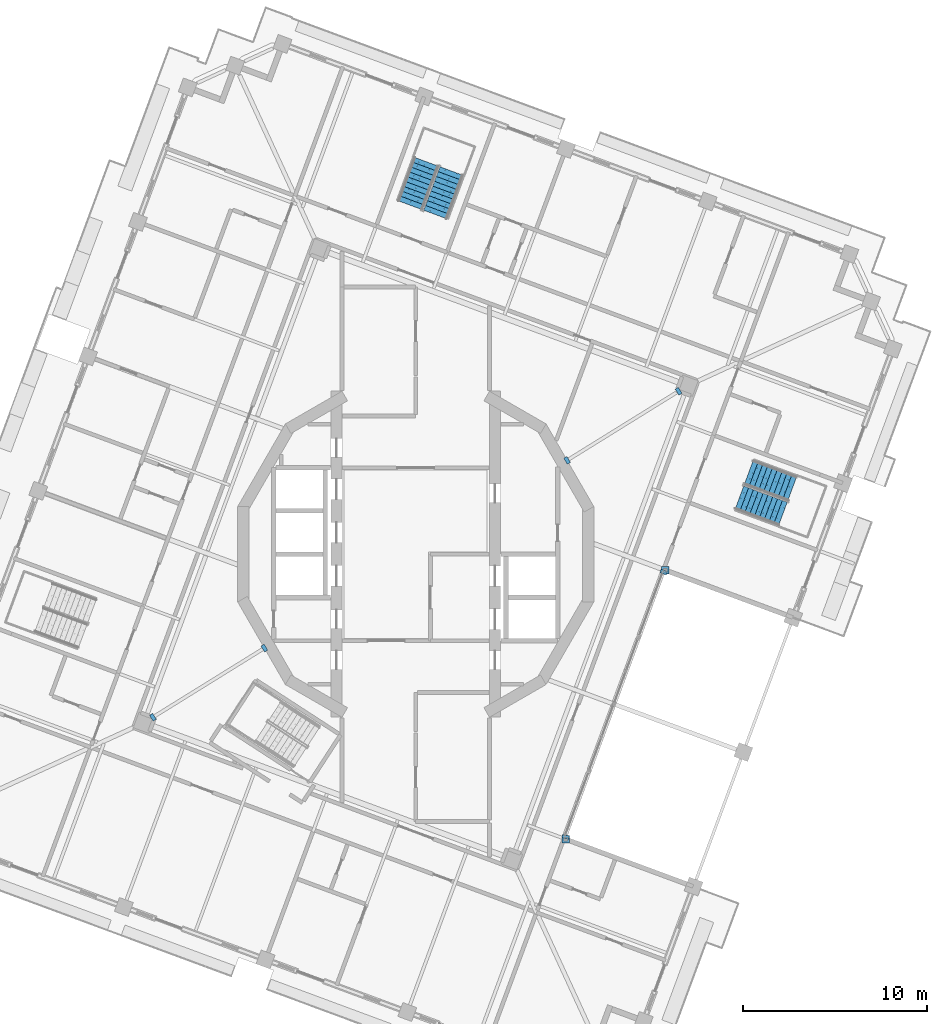
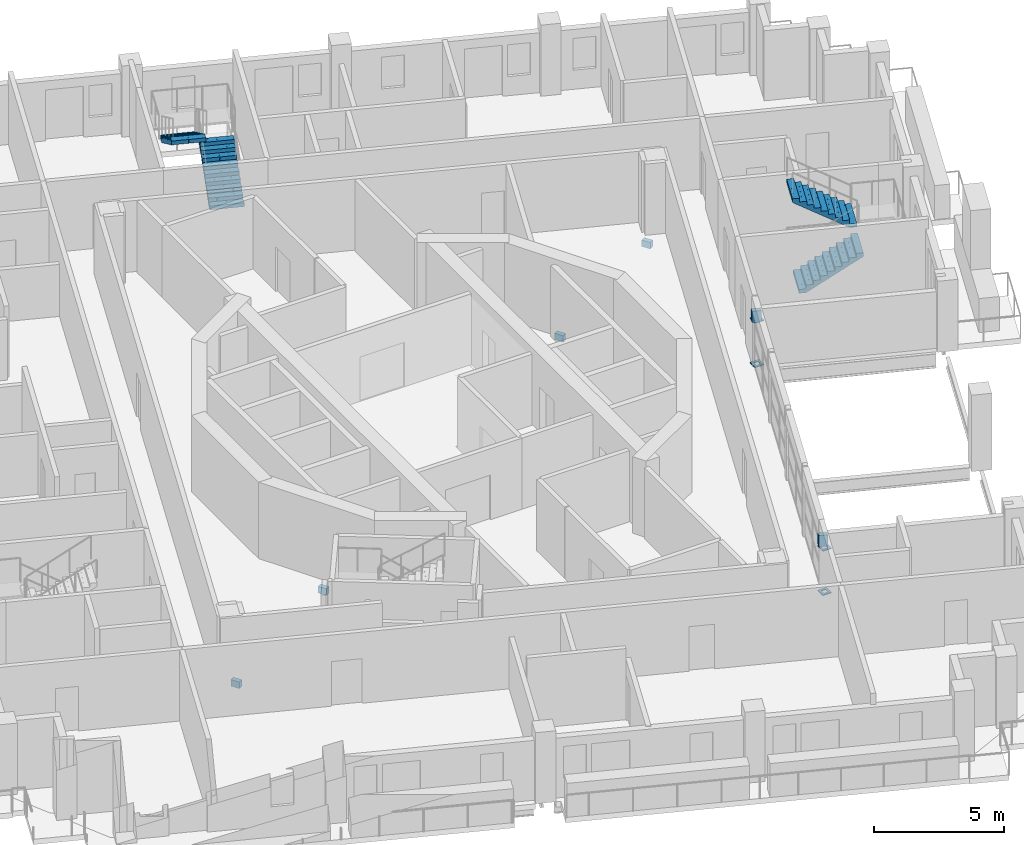
# One storey, part 12 of 19: 10 discrete accessories, 4 stair flights, 2 elements without a shape of their own.
"""IFC4 building model written with IfcOpenShell, lengths in metres."""

from ifc_helpers import new_model, si_unit, direction, frame, origin, place, context, subcontext, project, spatial, polyline, outline, extrude, material, layer, layer_set, type_object, element, aggregate, save


model = new_model("IFC4")

# Units and contexts
model_context = context("Model", 3, precision=1e-05, world=origin(), true_north=direction((0.0, 1.0)))
body_context = subcontext(model_context, "Body", "Model", "MODEL_VIEW")
ifc_project = project(units=[si_unit("LENGTHUNIT", "METRE"), si_unit("AREAUNIT", "SQUARE_METRE"), si_unit("VOLUMEUNIT", "CUBIC_METRE"), si_unit("PLANEANGLEUNIT", "RADIAN"), si_unit("MASSUNIT", "GRAM", prefix="KILO")], contexts=[model_context])

# Site, building, storey
site_placement = place(None, origin())
site = spatial("IfcSite", under=ifc_project, at=site_placement, CompositionType="ELEMENT")
building_placement = place(site_placement, origin())
building = spatial("IfcBuilding", under=site, at=building_placement, Name="Cantera Rosa Tower", CompositionType="ELEMENT")
storey_placement = place(building_placement, frame((0.0, 0.0, 334.89990234375)))
storey = spatial("IfcBuildingStorey", under=building, at=storey_placement, Name="L75", CompositionType="ELEMENT", Elevation=334.89990234375)

# Stair, stair flights
ifc_material_1 = material(Name="Concrete C35/45", Category="concrete")
stair_type = type_object("IfcStairType", Name="EXIT STAIR 1350 DOGLEG", PredefinedType="HALF_TURN_STAIR", material=ifc_material_1)
stair_1_placement = place(storey_placement, origin())
stair_1 = element("IfcStair", 1, at=stair_1_placement, inside=storey, type_object=stair_type, Name="L75 ST-61", PredefinedType="HALF_TURN_STAIR")
ifc_material_2 = material(Name="Concrete C35/45", Category="concrete")
stair_flight_type = type_object("IfcStairFlightType", Name="STAIR FLIGHT 1350 R20x180", PredefinedType="STRAIGHT", material=ifc_material_2)
stair_flight_1_placement = place(storey_placement, frame((17.55908203125, 3.064453125, 0.0), z_axis=(0.0, 0.0, 1.0), x_axis=(0.937686938944, -0.347481229039, 0.0)))
stair_flight_1 = element("IfcStairFlight", 2, at=stair_flight_1_placement, type_object=stair_flight_type, Name="ST-61 flight 1", NumberOfRisers=10, NumberOfTreads=9, PredefinedType="STRAIGHT", RiserHeight=0.18, TreadLength=0.28, context=body_context, shape_type="SweptSolid", body=[
    extrude(outline(polyline([(0.0, 0.0), (0.0, 0.179931640625), (0.280029296875, 0.179931640625), (0.280029296875, 0.360107421875), (0.56005859375, 0.360107421875), (0.56005859375, 0.5400390625), (0.840087890625, 0.5400390625), (0.840087890625, 0.719970703125), (1.1201171875, 0.719970703125), (1.1201171875, 0.89990234375), (1.39990234375, 0.89990234375), (1.39990234375, 1.080078125), (1.679931640625, 1.080078125), (1.679931640625, 1.260009765625), (1.9599609375, 1.260009765625), (1.9599609375, 1.43994140625), (2.239990234375, 1.43994140625), (2.239990234375, 1.6201171875), (2.52001953125, 1.6201171875), (2.52001953125, 1.800048828125), (2.52001953125, 1.44189453125), (0.277099609375, 0.0), (0.0, 0.0)])), frame((0.0, 0.675048828125, 0.0), z_axis=(0.0, -1.0, 0.0), x_axis=(1.0, 0.0, 0.0)), (0.0, 0.0, 1.0), 0.3359375),
    extrude(outline(polyline([(0.0, 0.0), (0.0, 0.179931640625), (0.280029296875, 0.179931640625), (0.280029296875, 0.360107421875), (0.56005859375, 0.360107421875), (0.56005859375, 0.5400390625), (0.840087890625, 0.5400390625), (0.840087890625, 0.719970703125), (1.1201171875, 0.719970703125), (1.1201171875, 0.89990234375), (1.39990234375, 0.89990234375), (1.39990234375, 1.080078125), (1.679931640625, 1.080078125), (1.679931640625, 1.260009765625), (1.9599609375, 1.260009765625), (1.9599609375, 1.43994140625), (2.239990234375, 1.43994140625), (2.239990234375, 1.6201171875), (2.52001953125, 1.6201171875), (2.52001953125, 1.800048828125), (2.52001953125, 1.44189453125), (0.277099609375, 0.0), (0.0, 0.0)])), frame((0.0, 0.337158203125, 0.0), z_axis=(0.0, -1.0, 0.0), x_axis=(1.0, 0.0, 0.0)), (0.0, 0.0, 1.0), 0.3359375),
    extrude(outline(polyline([(0.0, 0.0), (0.0, 0.179931640625), (0.280029296875, 0.179931640625), (0.280029296875, 0.360107421875), (0.56005859375, 0.360107421875), (0.56005859375, 0.5400390625), (0.840087890625, 0.5400390625), (0.840087890625, 0.719970703125), (1.1201171875, 0.719970703125), (1.1201171875, 0.89990234375), (1.39990234375, 0.89990234375), (1.39990234375, 1.080078125), (1.679931640625, 1.080078125), (1.679931640625, 1.260009765625), (1.9599609375, 1.260009765625), (1.9599609375, 1.43994140625), (2.239990234375, 1.43994140625), (2.239990234375, 1.6201171875), (2.52001953125, 1.6201171875), (2.52001953125, 1.800048828125), (2.52001953125, 1.44189453125), (0.277099609375, 0.0), (0.0, 0.0)])), frame((0.0, -0.000732421875, 0.0), z_axis=(0.0, -1.0, 0.0), x_axis=(1.0, 0.0, 0.0)), (0.0, 0.0, 1.0), 0.3359375),
    extrude(outline(polyline([(0.0, 0.0), (0.0, 0.179931640625), (0.280029296875, 0.179931640625), (0.280029296875, 0.360107421875), (0.56005859375, 0.360107421875), (0.56005859375, 0.5400390625), (0.840087890625, 0.5400390625), (0.840087890625, 0.719970703125), (1.1201171875, 0.719970703125), (1.1201171875, 0.89990234375), (1.39990234375, 0.89990234375), (1.39990234375, 1.080078125), (1.679931640625, 1.080078125), (1.679931640625, 1.260009765625), (1.9599609375, 1.260009765625), (1.9599609375, 1.43994140625), (2.239990234375, 1.43994140625), (2.239990234375, 1.6201171875), (2.52001953125, 1.6201171875), (2.52001953125, 1.800048828125), (2.52001953125, 1.44189453125), (0.277099609375, 0.0), (0.0, 0.0)])), frame((0.0, -0.338623046875, 0.0), z_axis=(0.0, -1.0, 0.0), x_axis=(1.0, 0.0, 0.0)), (0.0, 0.0, 1.0), 0.3359375),
])
stair_flight_2_placement = place(storey_placement, frame((20.443115234375, 3.595458984375, 1.800048828125), z_axis=(0.0, 0.0, 1.0), x_axis=(-0.937686938944, 0.347481229039, 0.0)))
stair_flight_2 = element("IfcStairFlight", 3, at=stair_flight_2_placement, type_object=stair_flight_type, Name="ST-61 flight 2", NumberOfRisers=10, NumberOfTreads=9, PredefinedType="STRAIGHT", RiserHeight=0.18, TreadLength=0.28, context=body_context, shape_type="SweptSolid", body=[
    extrude(outline(polyline([(0.0, 0.0), (0.0, 0.179931640625), (0.280029296875, 0.179931640625), (0.280029296875, 0.360107421875), (0.56005859375, 0.360107421875), (0.56005859375, 0.5400390625), (0.840087890625, 0.5400390625), (0.840087890625, 0.719970703125), (1.1201171875, 0.719970703125), (1.1201171875, 0.89990234375), (1.39990234375, 0.89990234375), (1.39990234375, 1.080078125), (1.679931640625, 1.080078125), (1.679931640625, 1.260009765625), (1.9599609375, 1.260009765625), (1.9599609375, 1.43994140625), (2.239990234375, 1.43994140625), (2.239990234375, 1.6201171875), (2.52001953125, 1.6201171875), (2.52001953125, 1.800048828125), (2.52001953125, 1.44189453125), (0.277099609375, 0.0), (0.0, 0.0)])), frame((0.0, 0.675048828125, 0.0), z_axis=(0.0, -1.0, 0.0), x_axis=(1.0, 0.0, 0.0)), (0.0, 0.0, 1.0), 0.3359375),
    extrude(outline(polyline([(0.0, 0.0), (0.0, 0.179931640625), (0.280029296875, 0.179931640625), (0.280029296875, 0.360107421875), (0.56005859375, 0.360107421875), (0.56005859375, 0.5400390625), (0.840087890625, 0.5400390625), (0.840087890625, 0.719970703125), (1.1201171875, 0.719970703125), (1.1201171875, 0.89990234375), (1.39990234375, 0.89990234375), (1.39990234375, 1.080078125), (1.679931640625, 1.080078125), (1.679931640625, 1.260009765625), (1.9599609375, 1.260009765625), (1.9599609375, 1.43994140625), (2.239990234375, 1.43994140625), (2.239990234375, 1.6201171875), (2.52001953125, 1.6201171875), (2.52001953125, 1.800048828125), (2.52001953125, 1.44189453125), (0.277099609375, 0.0), (0.0, 0.0)])), frame((0.0, 0.337158203125, 0.0), z_axis=(0.0, -1.0, 0.0), x_axis=(1.0, 0.0, 0.0)), (0.0, 0.0, 1.0), 0.3359375),
    extrude(outline(polyline([(0.0, 0.0), (0.0, 0.179931640625), (0.280029296875, 0.179931640625), (0.280029296875, 0.360107421875), (0.56005859375, 0.360107421875), (0.56005859375, 0.5400390625), (0.840087890625, 0.5400390625), (0.840087890625, 0.719970703125), (1.1201171875, 0.719970703125), (1.1201171875, 0.89990234375), (1.39990234375, 0.89990234375), (1.39990234375, 1.080078125), (1.679931640625, 1.080078125), (1.679931640625, 1.260009765625), (1.9599609375, 1.260009765625), (1.9599609375, 1.43994140625), (2.239990234375, 1.43994140625), (2.239990234375, 1.6201171875), (2.52001953125, 1.6201171875), (2.52001953125, 1.800048828125), (2.52001953125, 1.44189453125), (0.277099609375, 0.0), (0.0, 0.0)])), frame((0.0, -0.000732421875, 0.0), z_axis=(0.0, -1.0, 0.0), x_axis=(1.0, 0.0, 0.0)), (0.0, 0.0, 1.0), 0.3359375),
    extrude(outline(polyline([(0.0, 0.0), (0.0, 0.179931640625), (0.280029296875, 0.179931640625), (0.280029296875, 0.360107421875), (0.56005859375, 0.360107421875), (0.56005859375, 0.5400390625), (0.840087890625, 0.5400390625), (0.840087890625, 0.719970703125), (1.1201171875, 0.719970703125), (1.1201171875, 0.89990234375), (1.39990234375, 0.89990234375), (1.39990234375, 1.080078125), (1.679931640625, 1.080078125), (1.679931640625, 1.260009765625), (1.9599609375, 1.260009765625), (1.9599609375, 1.43994140625), (2.239990234375, 1.43994140625), (2.239990234375, 1.6201171875), (2.52001953125, 1.6201171875), (2.52001953125, 1.800048828125), (2.52001953125, 1.44189453125), (0.277099609375, 0.0), (0.0, 0.0)])), frame((0.0, -0.338623046875, 0.0), z_axis=(0.0, -1.0, 0.0), x_axis=(1.0, 0.0, 0.0)), (0.0, 0.0, 1.0), 0.3359375),
])
aggregate(stair_1, [stair_flight_1, stair_flight_2])

stair_2_placement = place(storey_placement, origin())
stair_2 = element("IfcStair", 4, at=stair_2_placement, inside=storey, type_object=stair_type, Name="L75 ST-62", PredefinedType="HALF_TURN_STAIR")
stair_flight_3_placement = place(storey_placement, frame((1.069580078125, 18.426513671875, 0.0), z_axis=(0.0, 0.0, 1.0), x_axis=(0.347481229039, 0.937686938944, 0.0)))
stair_flight_3 = element("IfcStairFlight", 5, at=stair_flight_3_placement, type_object=stair_flight_type, Name="ST-62 flight 1", NumberOfRisers=10, NumberOfTreads=9, PredefinedType="STRAIGHT", RiserHeight=0.18, TreadLength=0.28, context=body_context, shape_type="SweptSolid", body=[
    extrude(outline(polyline([(0.0, 0.0), (0.0, 0.179931640625), (0.280029296875, 0.179931640625), (0.280029296875, 0.360107421875), (0.56005859375, 0.360107421875), (0.56005859375, 0.5400390625), (0.840087890625, 0.5400390625), (0.840087890625, 0.719970703125), (1.1201171875, 0.719970703125), (1.1201171875, 0.89990234375), (1.39990234375, 0.89990234375), (1.39990234375, 1.080078125), (1.679931640625, 1.080078125), (1.679931640625, 1.260009765625), (1.9599609375, 1.260009765625), (1.9599609375, 1.43994140625), (2.239990234375, 1.43994140625), (2.239990234375, 1.6201171875), (2.52001953125, 1.6201171875), (2.52001953125, 1.800048828125), (2.52001953125, 1.44189453125), (0.277099609375, 0.0), (0.0, 0.0)])), frame((0.0, 0.675048828125, 0.0), z_axis=(0.0, -1.0, 0.0), x_axis=(1.0, 0.0, 0.0)), (0.0, 0.0, 1.0), 0.3359375),
    extrude(outline(polyline([(0.0, 0.0), (0.0, 0.179931640625), (0.280029296875, 0.179931640625), (0.280029296875, 0.360107421875), (0.56005859375, 0.360107421875), (0.56005859375, 0.5400390625), (0.840087890625, 0.5400390625), (0.840087890625, 0.719970703125), (1.1201171875, 0.719970703125), (1.1201171875, 0.89990234375), (1.39990234375, 0.89990234375), (1.39990234375, 1.080078125), (1.679931640625, 1.080078125), (1.679931640625, 1.260009765625), (1.9599609375, 1.260009765625), (1.9599609375, 1.43994140625), (2.239990234375, 1.43994140625), (2.239990234375, 1.6201171875), (2.52001953125, 1.6201171875), (2.52001953125, 1.800048828125), (2.52001953125, 1.44189453125), (0.277099609375, 0.0), (0.0, 0.0)])), frame((0.0, 0.337158203125, 0.0), z_axis=(0.0, -1.0, 0.0), x_axis=(1.0, 0.0, 0.0)), (0.0, 0.0, 1.0), 0.3359375),
    extrude(outline(polyline([(0.0, 0.0), (0.0, 0.179931640625), (0.280029296875, 0.179931640625), (0.280029296875, 0.360107421875), (0.56005859375, 0.360107421875), (0.56005859375, 0.5400390625), (0.840087890625, 0.5400390625), (0.840087890625, 0.719970703125), (1.1201171875, 0.719970703125), (1.1201171875, 0.89990234375), (1.39990234375, 0.89990234375), (1.39990234375, 1.080078125), (1.679931640625, 1.080078125), (1.679931640625, 1.260009765625), (1.9599609375, 1.260009765625), (1.9599609375, 1.43994140625), (2.239990234375, 1.43994140625), (2.239990234375, 1.6201171875), (2.52001953125, 1.6201171875), (2.52001953125, 1.800048828125), (2.52001953125, 1.44189453125), (0.277099609375, 0.0), (0.0, 0.0)])), frame((0.0, -0.000732421875, 0.0), z_axis=(0.0, -1.0, 0.0), x_axis=(1.0, 0.0, 0.0)), (0.0, 0.0, 1.0), 0.3359375),
    extrude(outline(polyline([(0.0, 0.0), (0.0, 0.179931640625), (0.280029296875, 0.179931640625), (0.280029296875, 0.360107421875), (0.56005859375, 0.360107421875), (0.56005859375, 0.5400390625), (0.840087890625, 0.5400390625), (0.840087890625, 0.719970703125), (1.1201171875, 0.719970703125), (1.1201171875, 0.89990234375), (1.39990234375, 0.89990234375), (1.39990234375, 1.080078125), (1.679931640625, 1.080078125), (1.679931640625, 1.260009765625), (1.9599609375, 1.260009765625), (1.9599609375, 1.43994140625), (2.239990234375, 1.43994140625), (2.239990234375, 1.6201171875), (2.52001953125, 1.6201171875), (2.52001953125, 1.800048828125), (2.52001953125, 1.44189453125), (0.277099609375, 0.0), (0.0, 0.0)])), frame((0.0, -0.338623046875, 0.0), z_axis=(0.0, -1.0, 0.0), x_axis=(1.0, 0.0, 0.0)), (0.0, 0.0, 1.0), 0.3359375),
])
stair_flight_4_placement = place(storey_placement, frame((0.53857421875, 21.310791015625, 1.800048828125), z_axis=(0.0, 0.0, 1.0), x_axis=(-0.347481229039, -0.937686938944, 0.0)))
stair_flight_4 = element("IfcStairFlight", 6, at=stair_flight_4_placement, type_object=stair_flight_type, Name="ST-62 flight 2", NumberOfRisers=10, NumberOfTreads=9, PredefinedType="STRAIGHT", RiserHeight=0.18, TreadLength=0.28, context=body_context, shape_type="SweptSolid", body=[
    extrude(outline(polyline([(0.0, 0.0), (0.0, 0.179931640625), (0.280029296875, 0.179931640625), (0.280029296875, 0.360107421875), (0.56005859375, 0.360107421875), (0.56005859375, 0.5400390625), (0.840087890625, 0.5400390625), (0.840087890625, 0.719970703125), (1.1201171875, 0.719970703125), (1.1201171875, 0.89990234375), (1.39990234375, 0.89990234375), (1.39990234375, 1.080078125), (1.679931640625, 1.080078125), (1.679931640625, 1.260009765625), (1.9599609375, 1.260009765625), (1.9599609375, 1.43994140625), (2.239990234375, 1.43994140625), (2.239990234375, 1.6201171875), (2.52001953125, 1.6201171875), (2.52001953125, 1.800048828125), (2.52001953125, 1.44189453125), (0.277099609375, 0.0), (0.0, 0.0)])), frame((0.0, 0.675048828125, 0.0), z_axis=(0.0, -1.0, 0.0), x_axis=(1.0, 0.0, 0.0)), (0.0, 0.0, 1.0), 0.3359375),
    extrude(outline(polyline([(0.0, 0.0), (0.0, 0.179931640625), (0.280029296875, 0.179931640625), (0.280029296875, 0.360107421875), (0.56005859375, 0.360107421875), (0.56005859375, 0.5400390625), (0.840087890625, 0.5400390625), (0.840087890625, 0.719970703125), (1.1201171875, 0.719970703125), (1.1201171875, 0.89990234375), (1.39990234375, 0.89990234375), (1.39990234375, 1.080078125), (1.679931640625, 1.080078125), (1.679931640625, 1.260009765625), (1.9599609375, 1.260009765625), (1.9599609375, 1.43994140625), (2.239990234375, 1.43994140625), (2.239990234375, 1.6201171875), (2.52001953125, 1.6201171875), (2.52001953125, 1.800048828125), (2.52001953125, 1.44189453125), (0.277099609375, 0.0), (0.0, 0.0)])), frame((0.0, 0.337158203125, 0.0), z_axis=(0.0, -1.0, 0.0), x_axis=(1.0, 0.0, 0.0)), (0.0, 0.0, 1.0), 0.3359375),
    extrude(outline(polyline([(0.0, 0.0), (0.0, 0.179931640625), (0.280029296875, 0.179931640625), (0.280029296875, 0.360107421875), (0.56005859375, 0.360107421875), (0.56005859375, 0.5400390625), (0.840087890625, 0.5400390625), (0.840087890625, 0.719970703125), (1.1201171875, 0.719970703125), (1.1201171875, 0.89990234375), (1.39990234375, 0.89990234375), (1.39990234375, 1.080078125), (1.679931640625, 1.080078125), (1.679931640625, 1.260009765625), (1.9599609375, 1.260009765625), (1.9599609375, 1.43994140625), (2.239990234375, 1.43994140625), (2.239990234375, 1.6201171875), (2.52001953125, 1.6201171875), (2.52001953125, 1.800048828125), (2.52001953125, 1.44189453125), (0.277099609375, 0.0), (0.0, 0.0)])), frame((0.0, -0.000732421875, 0.0), z_axis=(0.0, -1.0, 0.0), x_axis=(1.0, 0.0, 0.0)), (0.0, 0.0, 1.0), 0.3359375),
    extrude(outline(polyline([(0.0, 0.0), (0.0, 0.179931640625), (0.280029296875, 0.179931640625), (0.280029296875, 0.360107421875), (0.56005859375, 0.360107421875), (0.56005859375, 0.5400390625), (0.840087890625, 0.5400390625), (0.840087890625, 0.719970703125), (1.1201171875, 0.719970703125), (1.1201171875, 0.89990234375), (1.39990234375, 0.89990234375), (1.39990234375, 1.080078125), (1.679931640625, 1.080078125), (1.679931640625, 1.260009765625), (1.9599609375, 1.260009765625), (1.9599609375, 1.43994140625), (2.239990234375, 1.43994140625), (2.239990234375, 1.6201171875), (2.52001953125, 1.6201171875), (2.52001953125, 1.800048828125), (2.52001953125, 1.44189453125), (0.277099609375, 0.0), (0.0, 0.0)])), frame((0.0, -0.338623046875, 0.0), z_axis=(0.0, -1.0, 0.0), x_axis=(1.0, 0.0, 0.0)), (0.0, 0.0, 1.0), 0.3359375),
])
aggregate(stair_2, [stair_flight_3, stair_flight_4])

# Discrete accessories
ifc_material_3 = material(Name="Steel ASTM A992 (Fy 345 MPa)", Category="steel")
ifc_layer = layer(ifc_material_3, 0.0400390625)
ifc_layer_set = layer_set([ifc_layer], Name="STEEL BEARING PLATE 40")
discrete_accessory_type = type_object("IfcDiscreteAccessoryType", Name="STEEL BEARING PLATE 40", PredefinedType="ANCHORPLATE", material=ifc_layer_set)
discrete_accessory_1_placement = place(storey_placement, frame((0.0, 0.0, -0.60595703125)))
element("IfcDiscreteAccessory", 7, at=discrete_accessory_1_placement, inside=storey, type_object=discrete_accessory_type, Name="BEARING PLATE PG-Z6-01 end 1 L75", PredefinedType="ANCHORPLATE", context=body_context, shape_type="SweptSolid", body=[
    extrude(outline(polyline([(-14.277099609375, -8.6318359375), (-14.447021484375, -8.7373046875), (-14.247802734375, -9.05859375), (-14.077880859375, -8.953125), (-14.277099609375, -8.6318359375)])), origin(), (0.0, 0.0, 1.0), 0.30615234375),
])
discrete_accessory_2_placement = place(storey_placement, frame((0.0, 0.0, -0.60595703125)))
element("IfcDiscreteAccessory", 8, at=discrete_accessory_2_placement, inside=storey, type_object=discrete_accessory_type, Name="BEARING PLATE PG-Z6-01 end 2 L75", PredefinedType="ANCHORPLATE", context=body_context, shape_type="SweptSolid", body=[
    extrude(outline(polyline([(-8.1982421875, -5.306640625), (-8.0283203125, -5.201416015625), (-8.2275390625, -4.880126953125), (-8.3974609375, -4.985595703125), (-8.1982421875, -5.306640625)])), origin(), (0.0, 0.0, 1.0), 0.30615234375),
])
discrete_accessory_3_placement = place(storey_placement, frame((0.0, 0.0, -0.60595703125)))
element("IfcDiscreteAccessory", 9, at=discrete_accessory_3_placement, inside=storey, type_object=discrete_accessory_type, Name="BEARING PLATE PG-Z6-02 end 1 L75", PredefinedType="ANCHORPLATE", context=body_context, shape_type="SweptSolid", body=[
    extrude(outline(polyline([(14.277099609375, 8.6318359375), (14.447021484375, 8.7373046875), (14.247802734375, 9.05859375), (14.077880859375, 8.953125), (14.277099609375, 8.6318359375)])), origin(), (0.0, 0.0, 1.0), 0.30615234375),
])
discrete_accessory_4_placement = place(storey_placement, frame((0.0, 0.0, -0.60595703125)))
element("IfcDiscreteAccessory", 10, at=discrete_accessory_4_placement, inside=storey, type_object=discrete_accessory_type, Name="BEARING PLATE PG-Z6-02 end 2 L75", PredefinedType="ANCHORPLATE", context=body_context, shape_type="SweptSolid", body=[
    extrude(outline(polyline([(8.1982421875, 5.306640625), (8.0283203125, 5.201416015625), (8.2275390625, 4.880126953125), (8.3974609375, 4.985595703125), (8.1982421875, 5.306640625)])), origin(), (0.0, 0.0, 1.0), 0.30615234375),
])
for number, where, name in (
    (11, (0.0, 0.0, 0.0), "POST PLATE L75-1F"),
    (12, (0.0, 0.0, 2.090087890625), "POST PLATE L75-1T"),
):
    element("IfcDiscreteAccessory", number, at=place(storey_placement, frame(where)), inside=storey, type_object=discrete_accessory_type, Name=name, PredefinedType="ANCHORPLATE", context=body_context, shape_type="SweptSolid", body=[
        extrude(outline(polyline([(7.934814453125, -15.66015625), (8.334716796875, -15.66015625), (8.334716796875, -15.260009765625), (7.934814453125, -15.260009765625), (7.934814453125, -15.66015625)]), holes=[polyline([(8.034912109375, -15.56005859375), (8.23486328125, -15.56005859375), (8.23486328125, -15.360107421875), (8.034912109375, -15.360107421875), (8.034912109375, -15.56005859375)])]), origin(), (0.0, 0.0, 1.0), 0.0400390625),
    ])
for number, where, name in (
    (13, (0.0, 0.0, 0.0), "POST PLATE L75-2F"),
    (14, (0.0, 0.0, 2.090087890625), "POST PLATE L75-2T"),
):
    element("IfcDiscreteAccessory", number, at=place(storey_placement, frame(where)), inside=storey, type_object=discrete_accessory_type, Name=name, PredefinedType="ANCHORPLATE", context=body_context, shape_type="SweptSolid", body=[
        extrude(outline(polyline([(13.341552734375, -1.069580078125), (13.74169921875, -1.069580078125), (13.74169921875, -0.669677734375), (13.341552734375, -0.669677734375), (13.341552734375, -1.069580078125)]), holes=[polyline([(13.441650390625, -0.9697265625), (13.6416015625, -0.9697265625), (13.6416015625, -0.769775390625), (13.441650390625, -0.769775390625), (13.441650390625, -0.9697265625)])]), origin(), (0.0, 0.0, 1.0), 0.0400390625),
    ])
discrete_accessory_5_placement = place(storey_placement, frame((0.0, 0.0, 2.130126953125)))
element("IfcDiscreteAccessory", 15, at=discrete_accessory_5_placement, inside=storey, type_object=discrete_accessory_type, Name="LINTEL PLATE L75-1", PredefinedType="ANCHORPLATE", context=body_context, shape_type="SweptSolid", body=[
    extrude(outline(polyline([(7.994384765625, -15.168212890625), (7.925048828125, -15.355712890625), (8.268310546875, -15.48291015625), (8.337646484375, -15.29541015625), (7.994384765625, -15.168212890625)])), origin(), (0.0, 0.0, 1.0), 0.528076171875),
])
discrete_accessory_6_placement = place(storey_placement, frame((0.0, 0.0, 2.130126953125)))
element("IfcDiscreteAccessory", 16, at=discrete_accessory_6_placement, inside=storey, type_object=discrete_accessory_type, Name="LINTEL PLATE L75-2", PredefinedType="ANCHORPLATE", context=body_context, shape_type="SweptSolid", body=[
    extrude(outline(polyline([(13.588134765625, -1.126708984375), (13.65771484375, -0.939208984375), (13.314453125, -0.81201171875), (13.2451171875, -0.999755859375), (13.588134765625, -1.126708984375)])), origin(), (0.0, 0.0, 1.0), 0.528076171875),
])

save(model, "model.ifc")
